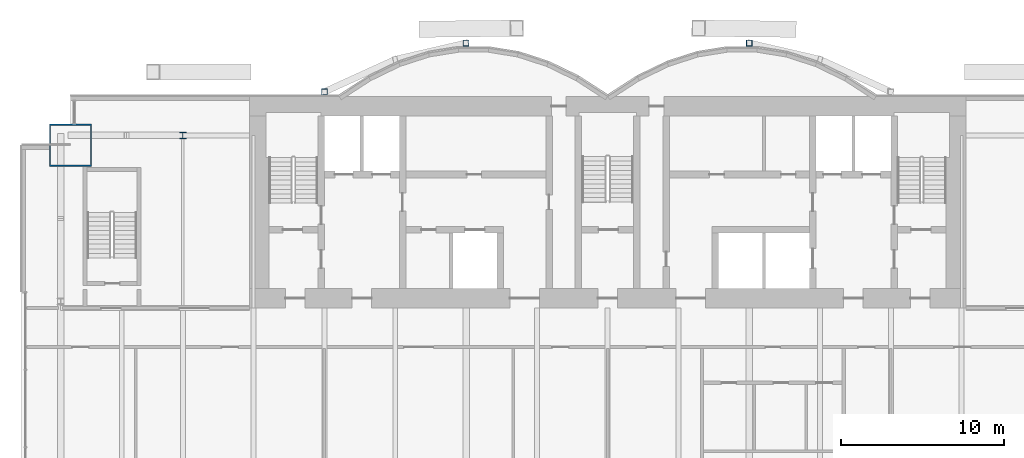
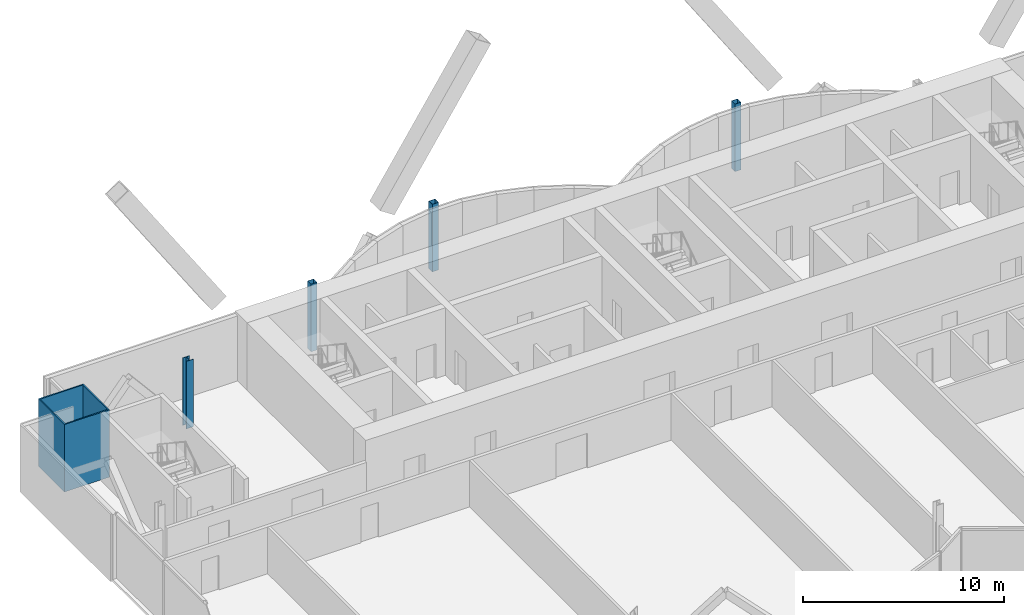
# One storey, part 3 of 22: 5 columns.
"""IFC4 building model written with IfcOpenShell, lengths in metres."""

from ifc_helpers import new_model, si_unit, direction, frame, origin, origin_2d, place, context, subcontext, project, spatial, hollow_rectangle, i_section, extrude, material, material_profile, profile_set, type_object, element, save


model = new_model("IFC4")

# Units and contexts
model_context = context("Model", 3, precision=1e-05, world=origin(), true_north=direction((0.0, 1.0)))
body_context = subcontext(model_context, "Body", "Model", "MODEL_VIEW")
ifc_project = project(units=[si_unit("LENGTHUNIT", "METRE"), si_unit("AREAUNIT", "SQUARE_METRE"), si_unit("VOLUMEUNIT", "CUBIC_METRE"), si_unit("PLANEANGLEUNIT", "RADIAN"), si_unit("MASSUNIT", "GRAM", prefix="KILO")], contexts=[model_context])

# Site, building, storey
site_placement = place(None, origin())
site = spatial("IfcSite", under=ifc_project, at=site_placement, CompositionType="ELEMENT")
building_placement = place(site_placement, origin())
building = spatial("IfcBuilding", under=site, at=building_placement, Name="Bicima Exchange Tower", CompositionType="ELEMENT")
storey_placement = place(building_placement, frame((0.0, 0.0, 169.10009765625)))
storey = spatial("IfcBuildingStorey", under=building, at=storey_placement, Name="L37", CompositionType="ELEMENT", Elevation=169.10009765625)

# Columns
ifc_material_1 = material(Name="Steel ASTM A572 Gr 50", Category="steel")
ifc_material_profile_1 = material_profile(ifc_material_1, hollow_rectangle(XDim=2.60009765625, YDim=2.60009765625, WallThickness=0.080078125, at=origin_2d()))
ifc_profile_set_1 = profile_set([ifc_material_profile_1], Name="Steel ASTM A572 Gr 50")
column_type_1 = type_object("IfcColumnType", Name="Mega column BOX 2600x2600x80", PredefinedType="COLUMN", material=ifc_profile_set_1)
column_1_placement = place(storey_placement, frame((-33.0, -3.0, 0.0), z_axis=(0.0, 0.0, 1.0), x_axis=(1.0, 0.0, 0.0)))
element("IfcColumn", 1, at=column_1_placement, inside=storey, type_object=column_type_1, Name="Mega column mega-33.0r", PredefinedType="COLUMN", context=body_context, shape_type="SweptSolid", body=[
    extrude(hollow_rectangle(XDim=2.60009765625, YDim=2.60009765625, WallThickness=0.080078125, at=origin_2d()), origin(), (0.0, 0.0, 1.0), 4.099853515625),
])
ifc_material_2 = material(Name="Steel ASTM A992 Gr 50", Category="steel")
ifc_material_profile_2 = material_profile(ifc_material_2, i_section(OverallWidth=0.396240234375, OverallDepth=0.381103515625, WebThickness=0.01904296875, FlangeThickness=0.0302734375, at=origin_2d()))
ifc_profile_set_2 = profile_set([ifc_material_profile_2], Name="Steel ASTM A992 Gr 50")
column_type_2 = type_object("IfcColumnType", Name="Perimeter column W14x159", PredefinedType="COLUMN", material=ifc_profile_set_2)
column_2_placement = place(storey_placement, frame((-26.10009765625, -2.39990234375, 0.0), z_axis=(0.0, 0.0, 1.0), x_axis=(1.0, 0.0, 0.0)))
element("IfcColumn", 2, at=column_2_placement, inside=storey, type_object=column_type_2, Name="Perimeter column grav-26.1r", PredefinedType="COLUMN", context=body_context, shape_type="SweptSolid", body=[
    extrude(i_section(OverallWidth=0.396240234375, OverallDepth=0.381103515625, WebThickness=0.01904296875, FlangeThickness=0.0302734375, at=origin_2d()), origin(), (0.0, 0.0, 1.0), 4.099853515625),
])
ifc_material_profile_3 = material_profile(ifc_material_1, hollow_rectangle(XDim=0.355712890625, YDim=0.355712890625, WallThickness=0.01171875, at=origin_2d()))
ifc_profile_set_3 = profile_set([ifc_material_profile_3], Name="Steel ASTM A572 Gr 50")
column_type_3 = type_object("IfcColumnType", Name="Rear pilaster HSS14x14x1/2", PredefinedType="COLUMN", material=ifc_profile_set_3)
for number, where, z_axis, x_axis, name in (
    (3, (-8.699951171875, 3.26904296875, 0.0), (0.0, 0.0, 1.0), (1.0, 0.0, 0.0), "Rear pilaster rexo-8.7r"),
    (4, (-17.39990234375, 0.278076171875, 0.0), (0.0, 0.0, 1.0), (1.0, 0.0, 0.0), "Rear pilaster rexo-17.4r"),
    (5, (8.699951171875, 3.26904296875, 0.0), (0.0, 0.0, 1.0), (1.0, 0.0, 0.0), "Rear pilaster rexo+8.7r"),
):
    element("IfcColumn", number, at=place(storey_placement, frame(where, z_axis=z_axis, x_axis=x_axis)), inside=storey, type_object=column_type_3, Name=name, PredefinedType="COLUMN", context=body_context, shape_type="SweptSolid", body=[
        extrude(hollow_rectangle(XDim=0.355712890625, YDim=0.355712890625, WallThickness=0.01171875, at=origin_2d()), origin(), (0.0, 0.0, 1.0), 4.099853515625),
    ])

save(model, "model.ifc")
